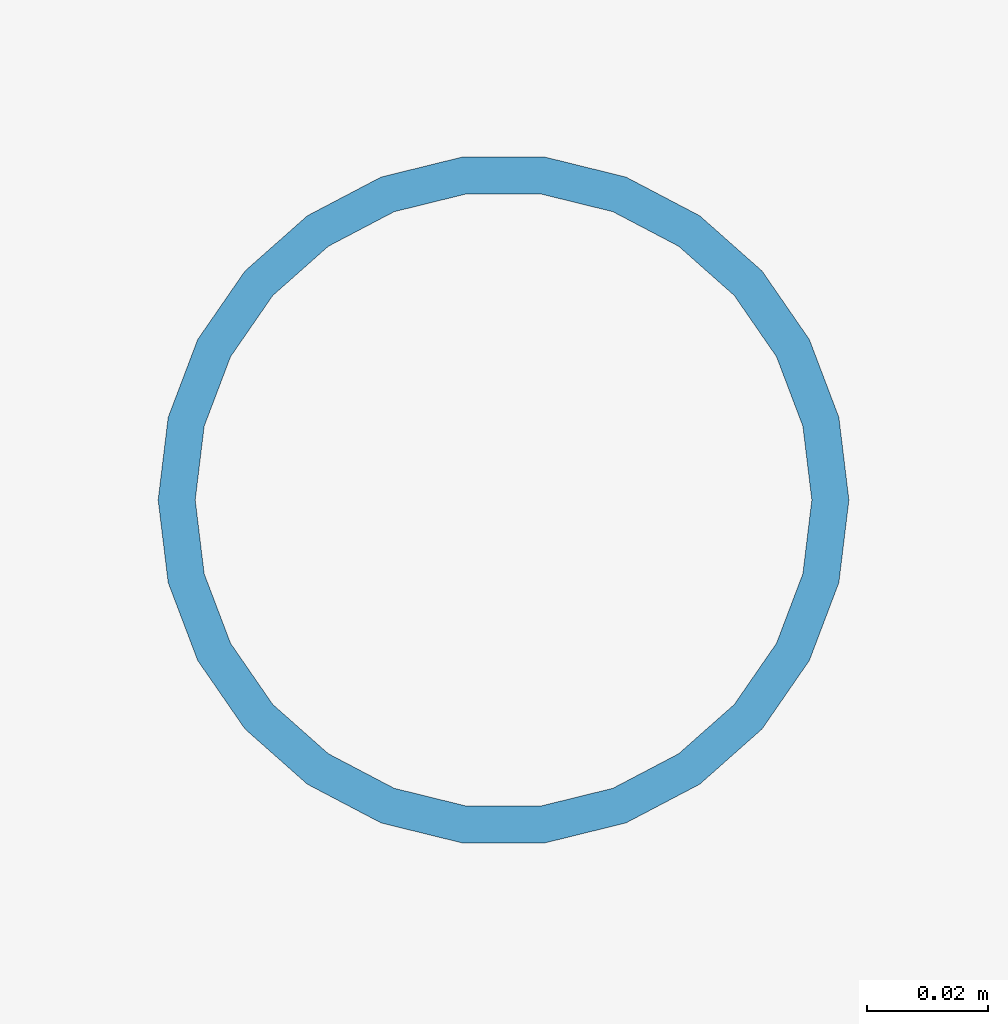
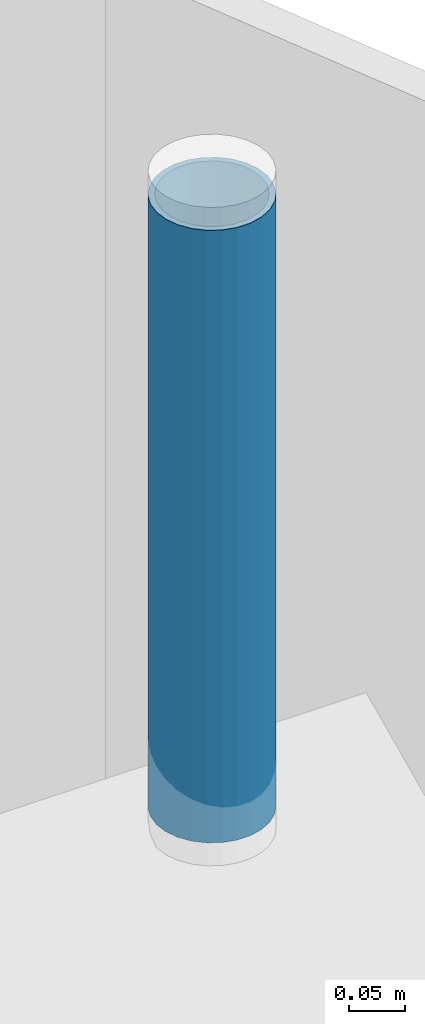
# One storey, part 21 of 31: 1 member.
"""IFC4 building model written with IfcOpenShell, lengths in metres."""

from ifc_helpers import new_model, si_unit, direction, frame, origin, origin_2d, place, context, subcontext, project, spatial, hollow_circle, extrude, material, material_profile, profile_set, type_object, element, save


model = new_model("IFC4")

# Units and contexts
model_context = context("Model", 3, precision=1e-05, world=origin(), true_north=direction((0.0, 1.0)))
body_context = subcontext(model_context, "Body", "Model", "MODEL_VIEW")
ifc_project = project(units=[si_unit("LENGTHUNIT", "METRE"), si_unit("AREAUNIT", "SQUARE_METRE"), si_unit("VOLUMEUNIT", "CUBIC_METRE"), si_unit("PLANEANGLEUNIT", "RADIAN"), si_unit("MASSUNIT", "GRAM", prefix="KILO")], contexts=[model_context])

# Site, building, storey
site_placement = place(None, origin())
site = spatial("IfcSite", under=ifc_project, at=site_placement, CompositionType="ELEMENT")
building_placement = place(site_placement, origin())
building = spatial("IfcBuilding", under=site, at=building_placement, Name="Tessera Arch", CompositionType="ELEMENT")
storey_placement = place(building_placement, frame((0.0, 0.0, 320.699951171875)))
storey = spatial("IfcBuildingStorey", under=building, at=storey_placement, Name="L77", CompositionType="ELEMENT", Elevation=320.699951171875)

# Member
ifc_material = material(Name="Steel A500 Gr C", Category="steel")
ifc_material_profile = material_profile(ifc_material, hollow_circle(Radius=0.056884765625, WallThickness=0.006103515625, at=origin_2d()), Name="Aviation obstruction light mast")
ifc_profile_set = profile_set([ifc_material_profile], Name="Steel A500 Gr C")
member_type = type_object("IfcMemberType", Name="Aviation obstruction light mast", PredefinedType="POST", material=ifc_profile_set)
member_placement = place(storey_placement, frame((53.5, 53.647705078125, 23.039794921875), z_axis=(0.0, 0.0, 1.0), x_axis=(1.0, 0.0, 0.0)))
element("IfcMember", 1, at=member_placement, inside=storey, type_object=member_type, Name="Aviation obstruction light 2", PredefinedType="POST", context=body_context, shape_type="SweptSolid", body=[
    extrude(hollow_circle(Radius=0.056884765625, WallThickness=0.006103515625, at=origin_2d()), origin(), (0.0, 0.0, 1.0), 0.663330078125),
])

save(model, "model.ifc")
